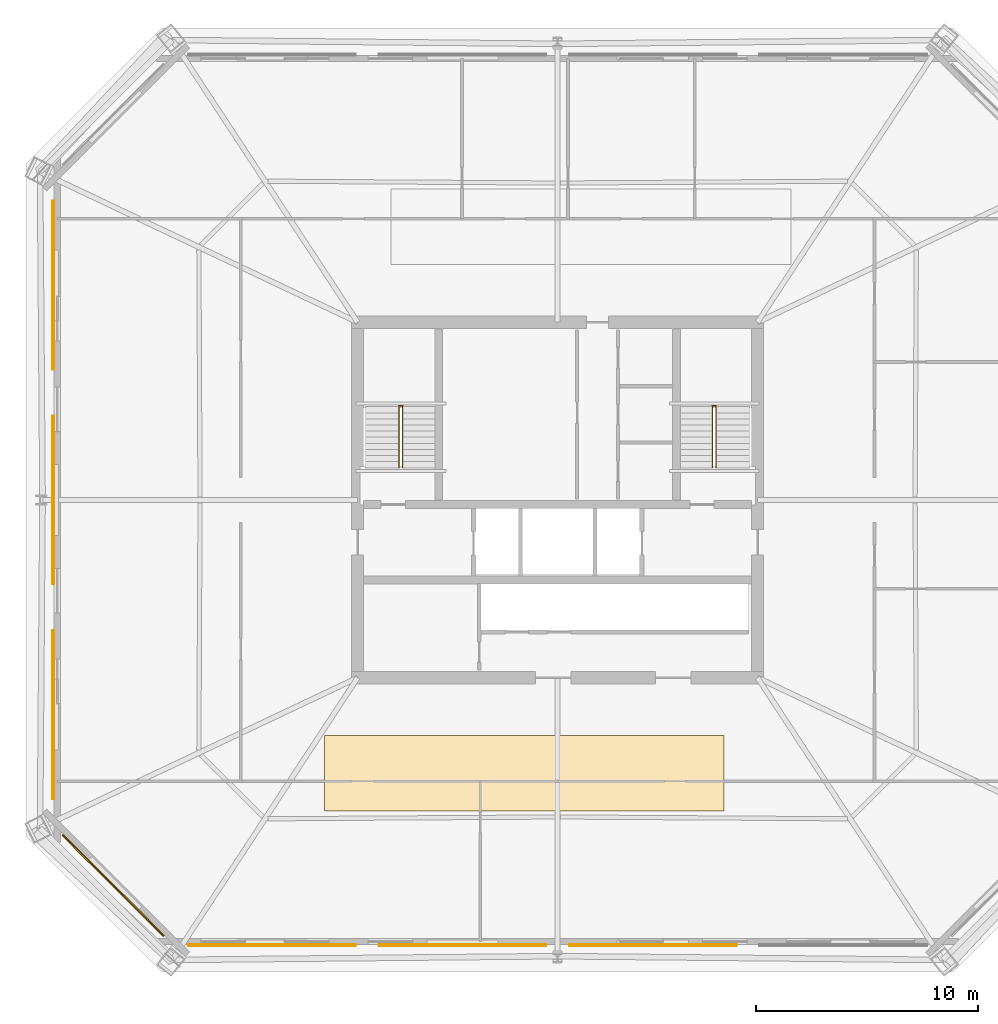
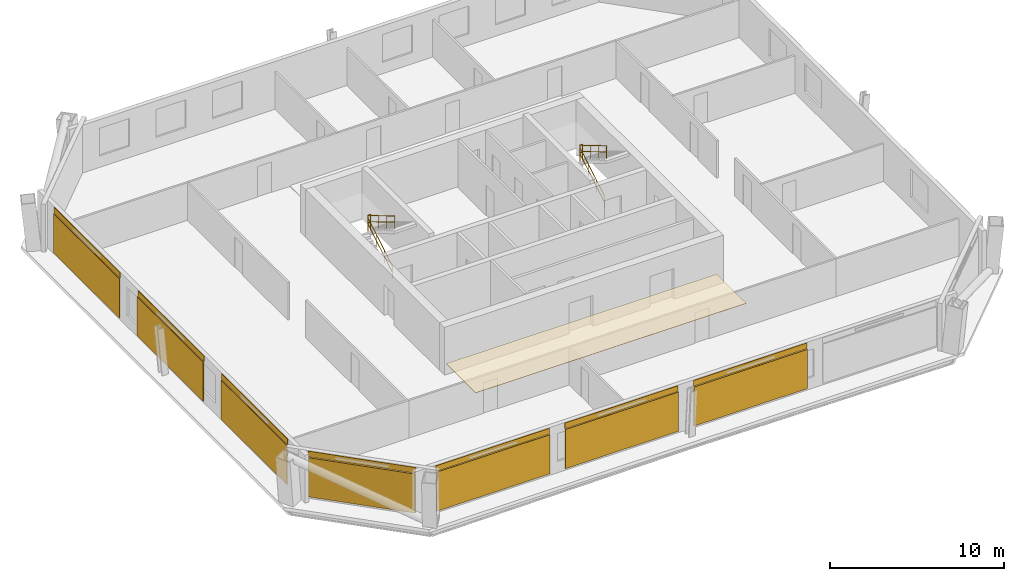
# One storey, part 6 of 7: 8 coverings, 7 shading devices, 6 railings.
"""IFC4 building model written with IfcOpenShell, lengths in metres."""

from ifc_helpers import new_model, si_unit, direction, frame, origin, origin_2d, place, context, subcontext, project, spatial, polyline, rectangle, circle, outline, extrude, material, layer, layer_set, type_object, element, save


model = new_model("IFC4")

# Units and contexts
model_context = context("Model", 3, precision=1e-05, world=origin(), true_north=direction((0.0, 1.0)))
body_context = subcontext(model_context, "Body", "Model", "MODEL_VIEW")
ifc_project = project(units=[si_unit("LENGTHUNIT", "METRE"), si_unit("AREAUNIT", "SQUARE_METRE"), si_unit("VOLUMEUNIT", "CUBIC_METRE"), si_unit("PLANEANGLEUNIT", "RADIAN"), si_unit("MASSUNIT", "GRAM", prefix="KILO")], contexts=[model_context])

# Site, building, storey
site_placement = place(None, origin())
site = spatial("IfcSite", under=ifc_project, at=site_placement, CompositionType="ELEMENT")
building_placement = place(site_placement, origin())
building = spatial("IfcBuilding", under=site, at=building_placement, Name="Caelvoria Tower", CompositionType="ELEMENT")
storey_placement = place(building_placement, frame((0.0, 0.0, 134.800048828125)))
storey = spatial("IfcBuildingStorey", under=building, at=storey_placement, Name="L35", CompositionType="ELEMENT", Elevation=134.800048828125)

# Coverings
ifc_material_1 = material(Name="Acoustic Mineral Fibre Tile", Category="gypsum")
ifc_layer_1 = layer(ifc_material_1, 0.02490234375, Name="Acoustic Mineral Fibre Tile")
ifc_layer_set_1 = layer_set([ifc_layer_1], Name="Mineral-Fibre Acoustic Suspended Ceiling 25 - Acoustic Mineral Fibre Tile")
covering_type_1 = type_object("IfcCoveringType", Name="Mineral-Fibre Acoustic Suspended Ceiling 25", PredefinedType="CEILING", material=ifc_layer_set_1)
covering_1_placement = place(storey_placement, frame((0.0, 0.0, 2.635009765625)))
element("IfcCovering", 1, at=covering_1_placement, inside=storey, type_object=covering_type_1, Name="Suspended Acoustic Ceiling L35", PredefinedType="CEILING", context=body_context, shape_type="SweptSolid", body=[
    extrude(outline(polyline([(35.5, 18.0), (53.5, 18.0), (53.5, 21.39990234375), (35.5, 21.39990234375), (35.5, 18.0)])), origin(), (0.0, 0.0, 1.0), 0.02490234375),
])
ifc_material_2 = material(Name="Perforated Architectural Bronze Cladding Screen", Category="bronze")
ifc_layer_2 = layer(ifc_material_2, 0.0400390625, Name="Perforated Architectural Bronze Cladding Screen")
ifc_layer_set_2 = layer_set([ifc_layer_2], Name="Perforated Bronze Louvre Cladding Band 40 - Perforated Architectural Bronze Cladding Screen")
covering_type_2 = type_object("IfcCoveringType", Name="Perforated Bronze Louvre Cladding Band 40", PredefinedType="CLADDING", material=ifc_layer_set_2)
for number, where, z_axis, x_axis, name in (
    (2, (33.14501953125, 11.97802734375, 2.93994140625), (0.0, 0.0, 1.0), (1.0, 0.0, 0.0), "Perforated Bronze Screen Band L35-E0-00"),
    (3, (41.715087890625, 11.97802734375, 2.93994140625), (0.0, 0.0, 1.0), (1.0, 0.0, 0.0), "Perforated Bronze Screen Band L35-E0-01"),
    (4, (50.284912109375, 11.97802734375, 2.93994140625), (0.0, 0.0, 1.0), (1.0, 0.0, 0.0), "Perforated Bronze Screen Band L35-E0-02"),
):
    element("IfcCovering", number, at=place(storey_placement, frame(where, z_axis=z_axis, x_axis=x_axis)), inside=storey, type_object=covering_type_2, Name=name, PredefinedType="CLADDING", context=body_context, shape_type="SweptSolid", body=[
        extrude(rectangle(XDim=7.54150390625, YDim=0.0400390625, at=origin_2d()), origin(), (0.0, 0.0, 1.0), 0.39990234375),
    ])
for number, where, z_axis, x_axis, name in (
    (5, (23.327880859375, 41.659912109375, 2.93994140625), (0.0, 0.0, 1.0), (0.0, -1.0, 0.0), "Perforated Bronze Screen Band L35-E6-00"),
    (6, (23.327880859375, 32.0, 2.93994140625), (0.0, 0.0, 1.0), (0.0, -1.0, 0.0), "Perforated Bronze Screen Band L35-E6-01"),
    (7, (23.327880859375, 22.340087890625, 2.93994140625), (0.0, 0.0, 1.0), (0.0, -1.0, 0.0), "Perforated Bronze Screen Band L35-E6-02"),
):
    element("IfcCovering", number, at=place(storey_placement, frame(where, z_axis=z_axis, x_axis=x_axis)), inside=storey, type_object=covering_type_2, Name=name, PredefinedType="CLADDING", context=body_context, shape_type="SweptSolid", body=[
        extrude(rectangle(XDim=7.60009765625, YDim=0.0400390625, at=origin_2d()), origin(), (0.0, 0.0, 1.0), 0.39990234375),
    ])
covering_2_placement = place(storey_placement, frame((26.018310546875, 14.668212890625, 2.93994140625), z_axis=(0.0, 0.0, 1.0), x_axis=(0.707106781187, -0.707106781187, 0.0)))
element("IfcCovering", 8, at=covering_2_placement, inside=storey, type_object=covering_type_2, Name="Perforated Bronze Screen Band L35-E7-00", PredefinedType="CLADDING", context=body_context, shape_type="SweptSolid", body=[
    extrude(rectangle(XDim=6.429931640625, YDim=0.0400390625, at=origin_2d()), origin(), (0.0, 0.0, 1.0), 0.39990234375),
])

# Shading devices
ifc_material_3 = material(Name="Perforated Architectural Bronze Alloy Panel", Category="bronze")
ifc_layer_3 = layer(ifc_material_3, 0.044921875, Name="Perforated Architectural Bronze Alloy Panel")
ifc_layer_set_3 = layer_set([ifc_layer_3], Name="Perforated Bronze Solar Screen Panel SCREEN - Perforated Architectural Bronze Alloy Panel")
shading_device_type = type_object("IfcShadingDeviceType", Name="Perforated Bronze Solar Screen Panel SCREEN", PredefinedType="USERDEFINED", material=ifc_layer_set_3)
for number, where, z_axis, x_axis, name in (
    (9, (33.14501953125, 11.93505859375, 0.159912109375), (0.0, 0.0, 1.0), (1.0, 0.0, 0.0), "Perforated Bronze Solar Screen L35-E0-00"),
    (10, (41.715087890625, 11.93505859375, 0.159912109375), (0.0, 0.0, 1.0), (1.0, 0.0, 0.0), "Perforated Bronze Solar Screen L35-E0-01"),
    (11, (50.284912109375, 11.93505859375, 0.159912109375), (0.0, 0.0, 1.0), (1.0, 0.0, 0.0), "Perforated Bronze Solar Screen L35-E0-02"),
):
    element("IfcShadingDevice", number, at=place(storey_placement, frame(where, z_axis=z_axis, x_axis=x_axis)), inside=storey, type_object=shading_device_type, Name=name, ObjectType="SCREEN", PredefinedType="USERDEFINED", context=body_context, shape_type="SweptSolid", body=[
        extrude(rectangle(XDim=7.54150390625, YDim=0.044921875, at=origin_2d()), origin(), (0.0, 0.0, 1.0), 2.75),
    ])
for number, where, z_axis, x_axis, name in (
    (12, (23.284912109375, 41.659912109375, 0.159912109375), (0.0, 0.0, 1.0), (0.0, -1.0, 0.0), "Perforated Bronze Solar Screen L35-E6-00"),
    (13, (23.284912109375, 32.0, 0.159912109375), (0.0, 0.0, 1.0), (0.0, -1.0, 0.0), "Perforated Bronze Solar Screen L35-E6-01"),
    (14, (23.284912109375, 22.340087890625, 0.159912109375), (0.0, 0.0, 1.0), (0.0, -1.0, 0.0), "Perforated Bronze Solar Screen L35-E6-02"),
):
    element("IfcShadingDevice", number, at=place(storey_placement, frame(where, z_axis=z_axis, x_axis=x_axis)), inside=storey, type_object=shading_device_type, Name=name, ObjectType="SCREEN", PredefinedType="USERDEFINED", context=body_context, shape_type="SweptSolid", body=[
        extrude(rectangle(XDim=7.60009765625, YDim=0.044921875, at=origin_2d()), origin(), (0.0, 0.0, 1.0), 2.75),
    ])
shading_device_placement = place(storey_placement, frame((25.98779296875, 14.637939453125, 0.159912109375), z_axis=(0.0, 0.0, 1.0), x_axis=(0.707106781187, -0.707106781187, 0.0)))
element("IfcShadingDevice", 15, at=shading_device_placement, inside=storey, type_object=shading_device_type, Name="Perforated Bronze Solar Screen L35-E7-00", ObjectType="SCREEN", PredefinedType="USERDEFINED", context=body_context, shape_type="SweptSolid", body=[
    extrude(rectangle(XDim=6.429931640625, YDim=0.044921875, at=origin_2d()), origin(), (0.0, 0.0, 1.0), 2.75),
])

# Railings
ifc_material_4 = material(Name="Brushed Stainless Steel Tube", Category="steel")
railing_type_1 = type_object("IfcRailingType", Name="Stair Tubular Stainless Handrail 920", PredefinedType="HANDRAIL", material=ifc_material_4)
railing_1_placement = place(storey_placement, frame((38.8701171875, 33.449951171875, 0.16357421875)))
element("IfcRailing", 16, at=railing_1_placement, inside=storey, type_object=railing_type_1, Name="ST-01 Flight 1 Handrail L35", PredefinedType="HANDRAIL", context=body_context, shape_type="SweptSolid", body=[
    extrude(circle(Radius=0.02392578125, at=origin_2d()), frame((0.0, 0.0, 0.89599609375), z_axis=(0.0, 0.859351957796, 0.511384603436), x_axis=(-1.0, 0.0, 0.0)), (0.0, 0.0, 1.0), 3.2001953125),
    extrude(circle(Radius=0.02392578125, at=origin_2d()), frame((0.0, 0.0, 0.4599609375), z_axis=(0.0, 0.859351957796, 0.511384603436), x_axis=(-1.0, 0.0, 0.0)), (0.0, 0.0, 1.0), 3.2001953125),
    extrude(circle(Radius=0.02099609375, at=origin_2d()), origin(), (0.0, 0.0, 1.0), 0.871826171875),
    extrude(circle(Radius=0.02099609375, at=origin_2d()), frame((0.0, 0.916748046875, 0.54541015625)), (0.0, 0.0, 1.0), 0.871826171875),
    extrude(circle(Radius=0.02099609375, at=origin_2d()), frame((0.0, 1.833251953125, 1.091064453125)), (0.0, 0.0, 1.0), 0.871826171875),
    extrude(circle(Radius=0.02099609375, at=origin_2d()), frame((0.0, 2.75, 1.636474609375)), (0.0, 0.0, 1.0), 0.871826171875),
])
railing_2_placement = place(storey_placement, frame((39.030029296875, 36.199951171875, 1.963623046875)))
element("IfcRailing", 17, at=railing_2_placement, inside=storey, type_object=railing_type_1, Name="ST-01 Flight 2 Handrail L35", PredefinedType="HANDRAIL", context=body_context, shape_type="SweptSolid", body=[
    extrude(circle(Radius=0.02392578125, at=origin_2d()), frame((0.0, 0.0, 0.89599609375), z_axis=(0.0, -0.859385484447, 0.511328259656), x_axis=(1.0, 0.0, 0.0)), (0.0, 0.0, 1.0), 3.199951171875),
    extrude(circle(Radius=0.02392578125, at=origin_2d()), frame((0.0, 0.0, 0.4599609375), z_axis=(0.0, -0.859385484447, 0.511328259656), x_axis=(1.0, 0.0, 0.0)), (0.0, 0.0, 1.0), 3.199951171875),
    extrude(circle(Radius=0.02099609375, at=origin_2d()), origin(), (0.0, 0.0, 1.0), 0.871826171875),
    extrude(circle(Radius=0.02099609375, at=origin_2d()), frame((0.0, -0.916748046875, 0.54541015625)), (0.0, 0.0, 1.0), 0.871826171875),
    extrude(circle(Radius=0.02099609375, at=origin_2d()), frame((0.0, -1.833251953125, 1.0908203125)), (0.0, 0.0, 1.0), 0.871826171875),
    extrude(circle(Radius=0.02099609375, at=origin_2d()), frame((0.0, -2.75, 1.63623046875)), (0.0, 0.0, 1.0), 0.871826171875),
])
railing_3_placement = place(storey_placement, frame((52.969970703125, 33.449951171875, 0.16357421875)))
element("IfcRailing", 18, at=railing_3_placement, inside=storey, type_object=railing_type_1, Name="ST-02 Flight 1 Handrail L35", PredefinedType="HANDRAIL", context=body_context, shape_type="SweptSolid", body=[
    extrude(circle(Radius=0.02392578125, at=origin_2d()), frame((0.0, 0.0, 0.89599609375), z_axis=(0.0, 0.859351957796, 0.511384603436), x_axis=(-1.0, 0.0, 0.0)), (0.0, 0.0, 1.0), 3.2001953125),
    extrude(circle(Radius=0.02392578125, at=origin_2d()), frame((0.0, 0.0, 0.4599609375), z_axis=(0.0, 0.859351957796, 0.511384603436), x_axis=(-1.0, 0.0, 0.0)), (0.0, 0.0, 1.0), 3.2001953125),
    extrude(circle(Radius=0.02099609375, at=origin_2d()), origin(), (0.0, 0.0, 1.0), 0.871826171875),
    extrude(circle(Radius=0.02099609375, at=origin_2d()), frame((0.0, 0.916748046875, 0.54541015625)), (0.0, 0.0, 1.0), 0.871826171875),
    extrude(circle(Radius=0.02099609375, at=origin_2d()), frame((0.0, 1.833251953125, 1.091064453125)), (0.0, 0.0, 1.0), 0.871826171875),
    extrude(circle(Radius=0.02099609375, at=origin_2d()), frame((0.0, 2.75, 1.636474609375)), (0.0, 0.0, 1.0), 0.871826171875),
])
railing_4_placement = place(storey_placement, frame((53.1298828125, 36.199951171875, 1.963623046875)))
element("IfcRailing", 19, at=railing_4_placement, inside=storey, type_object=railing_type_1, Name="ST-02 Flight 2 Handrail L35", PredefinedType="HANDRAIL", context=body_context, shape_type="SweptSolid", body=[
    extrude(circle(Radius=0.02392578125, at=origin_2d()), frame((0.0, 0.0, 0.89599609375), z_axis=(0.0, -0.859385484447, 0.511328259656), x_axis=(1.0, 0.0, 0.0)), (0.0, 0.0, 1.0), 3.199951171875),
    extrude(circle(Radius=0.02392578125, at=origin_2d()), frame((0.0, 0.0, 0.4599609375), z_axis=(0.0, -0.859385484447, 0.511328259656), x_axis=(1.0, 0.0, 0.0)), (0.0, 0.0, 1.0), 3.199951171875),
    extrude(circle(Radius=0.02099609375, at=origin_2d()), origin(), (0.0, 0.0, 1.0), 0.871826171875),
    extrude(circle(Radius=0.02099609375, at=origin_2d()), frame((0.0, -0.916748046875, 0.54541015625)), (0.0, 0.0, 1.0), 0.871826171875),
    extrude(circle(Radius=0.02099609375, at=origin_2d()), frame((0.0, -1.833251953125, 1.0908203125)), (0.0, 0.0, 1.0), 0.871826171875),
    extrude(circle(Radius=0.02099609375, at=origin_2d()), frame((0.0, -2.75, 1.63623046875)), (0.0, 0.0, 1.0), 0.871826171875),
])
ifc_material_5 = material(Name="Brushed Stainless Steel Guardrail", Category="steel")
railing_type_2 = type_object("IfcRailingType", Name="Stair Well and Ramp Guardrail 1120", PredefinedType="GUARDRAIL", material=ifc_material_5)
for number, where, name in (
    (20, (38.8701171875, 36.239990234375, 1.800048828125), "ST-01 Half-Landing Well Guard L35"),
    (21, (52.969970703125, 36.239990234375, 1.800048828125), "ST-02 Half-Landing Well Guard L35"),
):
    element("IfcRailing", number, at=place(storey_placement, frame(where)), inside=storey, type_object=railing_type_2, Name=name, PredefinedType="GUARDRAIL", context=body_context, shape_type="SweptSolid", body=[
        extrude(circle(Radius=0.02392578125, at=origin_2d()), frame((0.0, 0.0, 1.09619140625), z_axis=(1.0, 0.0, 0.0), x_axis=(0.0, 1.0, 0.0)), (0.0, 0.0, 1.0), 0.159912109375),
        extrude(circle(Radius=0.02392578125, at=origin_2d()), frame((0.0, 0.0, 0.56005859375), z_axis=(1.0, 0.0, 0.0), x_axis=(0.0, 1.0, 0.0)), (0.0, 0.0, 1.0), 0.159912109375),
        extrude(circle(Radius=0.02099609375, at=origin_2d()), origin(), (0.0, 0.0, 1.0), 1.072021484375),
        extrude(circle(Radius=0.02099609375, at=origin_2d()), frame((0.159912109375, 0.0, 0.0)), (0.0, 0.0, 1.0), 1.072021484375),
    ])

save(model, "model.ifc")
